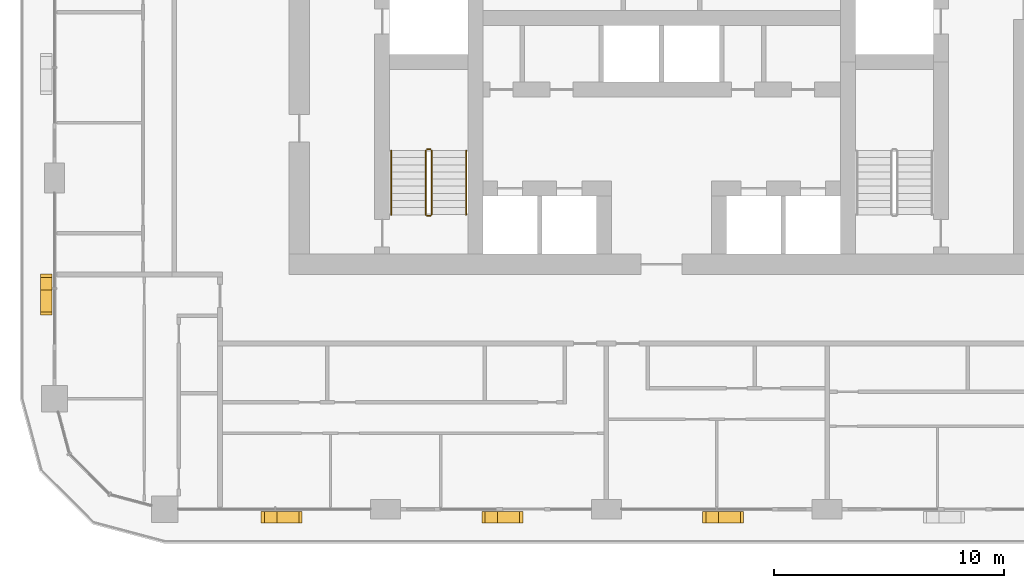
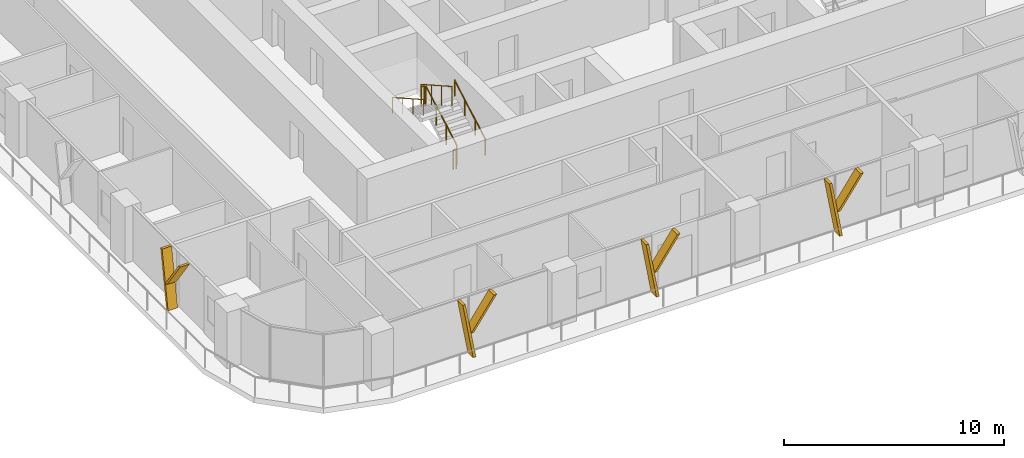
# One storey, part 16 of 21: 8 shading devices, 6 railings.
"""IFC4 building model written with IfcOpenShell, lengths in metres."""

from ifc_helpers import new_model, si_unit, direction, frame, origin, origin_2d, place, context, subcontext, project, spatial, polyline, circle, outline, extrude, material, type_object, element, save


model = new_model("IFC4")

# Units and contexts
model_context = context("Model", 3, precision=1e-05, world=origin(), true_north=direction((0.0, 1.0)))
body_context = subcontext(model_context, "Body", "Model", "MODEL_VIEW")
ifc_project = project(units=[si_unit("LENGTHUNIT", "METRE"), si_unit("AREAUNIT", "SQUARE_METRE"), si_unit("VOLUMEUNIT", "CUBIC_METRE"), si_unit("PLANEANGLEUNIT", "RADIAN"), si_unit("MASSUNIT", "GRAM", prefix="KILO")], contexts=[model_context])

# Site, building, storey
site_placement = place(None, origin())
site = spatial("IfcSite", under=ifc_project, at=site_placement, CompositionType="ELEMENT")
building_placement = place(site_placement, origin())
building = spatial("IfcBuilding", under=site, at=building_placement, Name="Madar Terraces", CompositionType="ELEMENT")
storey_placement = place(building_placement, frame((0.0, 0.0, 110.199951171875)))
storey = spatial("IfcBuildingStorey", under=building, at=storey_placement, Name="L28", CompositionType="ELEMENT", Elevation=110.199951171875)

# Shading devices
ifc_material_1 = material(Name="Aluminium, black anodised", Category="aluminium")
shading_device_type = type_object("IfcShadingDeviceType", Name="Facade fin blade 140 x 500", PredefinedType="USERDEFINED", material=ifc_material_1)
shading_device_1_placement = place(storey_placement, frame((14.330078125, 4.449951171875, 0.0), z_axis=(0.0, 0.0, 1.0), x_axis=(1.0, 0.0, 0.0)))
element("IfcShadingDevice", 1, at=shading_device_1_placement, inside=storey, type_object=shading_device_type, Name="FIN L28 S1", ObjectType="FIN", PredefinedType="USERDEFINED", context=body_context, shape_type="SweptSolid", body=[
    extrude(outline(polyline([(0.0, 0.0), (0.139892578125, 0.0), (-0.403076171875, 3.080078125), (-0.54296875, 3.080078125), (0.0, 0.0)])), frame((0.0, 0.25, 0.0), z_axis=(0.0, -1.0, 0.0), x_axis=(1.0, 0.0, 0.0)), (0.0, 0.0, 1.0), 0.5),
])
shading_device_2_placement = place(storey_placement, frame((14.2255859375, 4.449951171875, 1.385986328125), z_axis=(0.0, 0.0, 1.0), x_axis=(1.0, 0.0, 0.0)))
element("IfcShadingDevice", 2, at=shading_device_2_placement, inside=storey, type_object=shading_device_type, Name="FIN L28 S1 branch", ObjectType="FIN", PredefinedType="USERDEFINED", context=body_context, shape_type="SweptSolid", body=[
    extrude(outline(polyline([(0.0, 0.0), (0.14013671875, 0.0), (1.34130859375, 1.694091796875), (1.201416015625, 1.694091796875), (0.0, 0.0)])), frame((0.0, 0.25, 0.0), z_axis=(0.0, -1.0, 0.0), x_axis=(1.0, 0.0, 0.0)), (0.0, 0.0, 1.0), 0.5),
])
shading_device_3_placement = place(storey_placement, frame((23.929931640625, 4.449951171875, 0.0), z_axis=(0.0, 0.0, 1.0), x_axis=(1.0, 0.0, 0.0)))
element("IfcShadingDevice", 3, at=shading_device_3_placement, inside=storey, type_object=shading_device_type, Name="FIN L28 S2", ObjectType="FIN", PredefinedType="USERDEFINED", context=body_context, shape_type="SweptSolid", body=[
    extrude(outline(polyline([(0.0, 0.0), (0.14013671875, 0.0), (-0.403076171875, 3.080078125), (-0.54296875, 3.080078125), (0.0, 0.0)])), frame((0.0, 0.25, 0.0), z_axis=(0.0, -1.0, 0.0), x_axis=(1.0, 0.0, 0.0)), (0.0, 0.0, 1.0), 0.5),
])
shading_device_4_placement = place(storey_placement, frame((23.82568359375, 4.449951171875, 1.385986328125), z_axis=(0.0, 0.0, 1.0), x_axis=(1.0, 0.0, 0.0)))
element("IfcShadingDevice", 4, at=shading_device_4_placement, inside=storey, type_object=shading_device_type, Name="FIN L28 S2 branch", ObjectType="FIN", PredefinedType="USERDEFINED", context=body_context, shape_type="SweptSolid", body=[
    extrude(outline(polyline([(0.0, 0.0), (0.139892578125, 0.0), (1.34130859375, 1.694091796875), (1.201416015625, 1.694091796875), (0.0, 0.0)])), frame((0.0, 0.25, 0.0), z_axis=(0.0, -1.0, 0.0), x_axis=(1.0, 0.0, 0.0)), (0.0, 0.0, 1.0), 0.5),
])
shading_device_5_placement = place(storey_placement, frame((33.530029296875, 4.449951171875, 0.0), z_axis=(0.0, 0.0, 1.0), x_axis=(1.0, 0.0, 0.0)))
element("IfcShadingDevice", 5, at=shading_device_5_placement, inside=storey, type_object=shading_device_type, Name="FIN L28 S3", ObjectType="FIN", PredefinedType="USERDEFINED", context=body_context, shape_type="SweptSolid", body=[
    extrude(outline(polyline([(0.0, 0.0), (0.139892578125, 0.0), (-0.403076171875, 3.080078125), (-0.54296875, 3.080078125), (0.0, 0.0)])), frame((0.0, 0.25, 0.0), z_axis=(0.0, -1.0, 0.0), x_axis=(1.0, 0.0, 0.0)), (0.0, 0.0, 1.0), 0.5),
])
shading_device_6_placement = place(storey_placement, frame((33.425537109375, 4.449951171875, 1.385986328125), z_axis=(0.0, 0.0, 1.0), x_axis=(1.0, 0.0, 0.0)))
element("IfcShadingDevice", 6, at=shading_device_6_placement, inside=storey, type_object=shading_device_type, Name="FIN L28 S3 branch", ObjectType="FIN", PredefinedType="USERDEFINED", context=body_context, shape_type="SweptSolid", body=[
    extrude(outline(polyline([(0.0, 0.0), (0.14013671875, 0.0), (1.34130859375, 1.694091796875), (1.201416015625, 1.694091796875), (0.0, 0.0)])), frame((0.0, 0.25, 0.0), z_axis=(0.0, -1.0, 0.0), x_axis=(1.0, 0.0, 0.0)), (0.0, 0.0, 1.0), 0.5),
])
shading_device_7_placement = place(storey_placement, frame((4.449951171875, 14.469970703125, 0.0), z_axis=(0.0, 0.0, 1.0), x_axis=(0.0, -1.0, 0.0)))
element("IfcShadingDevice", 7, at=shading_device_7_placement, inside=storey, type_object=shading_device_type, Name="FIN L28 W4", ObjectType="FIN", PredefinedType="USERDEFINED", context=body_context, shape_type="SweptSolid", body=[
    extrude(outline(polyline([(0.0, 0.0), (0.139892578125, 0.0), (-0.403076171875, 3.080078125), (-0.54296875, 3.080078125), (0.0, 0.0)])), frame((0.0, 0.25, 0.0), z_axis=(0.0, -1.0, 0.0), x_axis=(1.0, 0.0, 0.0)), (0.0, 0.0, 1.0), 0.5),
])
shading_device_8_placement = place(storey_placement, frame((4.449951171875, 14.574462890625, 1.385986328125), z_axis=(0.0, 0.0, 1.0), x_axis=(0.0, -1.0, 0.0)))
element("IfcShadingDevice", 8, at=shading_device_8_placement, inside=storey, type_object=shading_device_type, Name="FIN L28 W4 branch", ObjectType="FIN", PredefinedType="USERDEFINED", context=body_context, shape_type="SweptSolid", body=[
    extrude(outline(polyline([(0.0, 0.0), (0.14013671875, 0.0), (1.34130859375, 1.694091796875), (1.201416015625, 1.694091796875), (0.0, 0.0)])), frame((0.0, 0.25, 0.0), z_axis=(0.0, -1.0, 0.0), x_axis=(1.0, 0.0, 0.0)), (0.0, 0.0, 1.0), 0.5),
])

# Railings
ifc_material_2 = material(Name="Stainless steel railing", Category="steel")
railing_type_1 = type_object("IfcRailingType", Name="Stair guard 1100", PredefinedType="GUARDRAIL", material=ifc_material_2)
railing_1_placement = place(storey_placement, frame((21.199951171875, 17.60009765625, 0.175048828125)))
element("IfcRailing", 9, at=railing_1_placement, inside=storey, type_object=railing_type_1, Name="L28 ST1 stair guard 1", PredefinedType="GUARDRAIL", context=body_context, shape_type="SweptSolid", body=[
    extrude(circle(Radius=0.02392578125, at=origin_2d()), frame((0.0, 0.0, 1.076171875), z_axis=(0.0, 0.870815363784, 0.491610213684), x_axis=(-1.0, 0.0, 0.0)), (0.0, 0.0, 1.0), 3.20361328125),
    extrude(circle(Radius=0.02099609375, at=origin_2d()), origin(), (0.0, 0.0, 1.0), 1.052001953125),
    extrude(circle(Radius=0.02099609375, at=origin_2d()), frame((0.0, 0.929931640625, 0.52490234375)), (0.0, 0.0, 1.0), 1.052001953125),
    extrude(circle(Radius=0.02099609375, at=origin_2d()), frame((0.0, 1.85986328125, 1.050048828125)), (0.0, 0.0, 1.0), 1.052001953125),
    extrude(circle(Radius=0.02099609375, at=origin_2d()), frame((0.0, 2.789794921875, 1.574951171875)), (0.0, 0.0, 1.0), 1.052001953125),
])
railing_2_placement = place(storey_placement, frame((21.14990234375, 20.43994140625, 1.75)))
element("IfcRailing", 10, at=railing_2_placement, inside=storey, type_object=railing_type_1, Name="L28 ST1 stair guard 2", PredefinedType="GUARDRAIL", context=body_context, shape_type="SweptSolid", body=[
    extrude(circle(Radius=0.02392578125, at=origin_2d()), frame((0.0, 0.0, 1.076171875), z_axis=(-1.0, 0.0, 0.0), x_axis=(0.0, -1.0, 0.0)), (0.0, 0.0, 1.0), 0.14990234375),
    extrude(circle(Radius=0.02099609375, at=origin_2d()), origin(), (0.0, 0.0, 1.0), 1.052001953125),
    extrude(circle(Radius=0.02099609375, at=origin_2d()), frame((-0.14990234375, 0.0, 0.0)), (0.0, 0.0, 1.0), 1.052001953125),
])
railing_3_placement = place(storey_placement, frame((20.949951171875, 20.389892578125, 1.925048828125)))
element("IfcRailing", 11, at=railing_3_placement, inside=storey, type_object=railing_type_1, Name="L28 ST1 stair guard 3", PredefinedType="GUARDRAIL", context=body_context, shape_type="SweptSolid", body=[
    extrude(circle(Radius=0.02392578125, at=origin_2d()), frame((0.0, 0.0, 1.076171875), z_axis=(0.0, -0.870815363784, 0.491610213684), x_axis=(1.0, 0.0, 0.0)), (0.0, 0.0, 1.0), 3.20361328125),
    extrude(circle(Radius=0.02099609375, at=origin_2d()), origin(), (0.0, 0.0, 1.0), 1.052001953125),
    extrude(circle(Radius=0.02099609375, at=origin_2d()), frame((0.0, -0.929931640625, 0.52490234375)), (0.0, 0.0, 1.0), 1.052001953125),
    extrude(circle(Radius=0.02099609375, at=origin_2d()), frame((0.0, -1.85986328125, 1.050048828125)), (0.0, 0.0, 1.0), 1.052001953125),
    extrude(circle(Radius=0.02099609375, at=origin_2d()), frame((0.0, -2.789794921875, 1.574951171875)), (0.0, 0.0, 1.0), 1.052001953125),
])
railing_4_placement = place(storey_placement, frame((21.14990234375, 17.550048828125, 0.0)))
element("IfcRailing", 12, at=railing_4_placement, inside=storey, type_object=railing_type_1, Name="L28 ST1 stair guard 4", PredefinedType="GUARDRAIL", context=body_context, shape_type="SweptSolid", body=[
    extrude(circle(Radius=0.02392578125, at=origin_2d()), frame((0.0, 0.0, 1.076171875), z_axis=(-1.0, 0.0, 0.0), x_axis=(0.0, -1.0, 0.0)), (0.0, 0.0, 1.0), 0.14990234375),
    extrude(circle(Radius=0.02099609375, at=origin_2d()), origin(), (0.0, 0.0, 1.0), 1.052001953125),
    extrude(circle(Radius=0.02099609375, at=origin_2d()), frame((-0.14990234375, 0.0, 0.0)), (0.0, 0.0, 1.0), 1.052001953125),
])
ifc_material_3 = material(Name="Stainless steel railing", Category="steel")
railing_type_2 = type_object("IfcRailingType", Name="Stair handrail 900", PredefinedType="HANDRAIL", material=ifc_material_3)
railing_5_placement = place(storey_placement, frame((22.699951171875, 17.60009765625, 0.175048828125)))
element("IfcRailing", 13, at=railing_5_placement, inside=storey, type_object=railing_type_2, Name="L28 ST1 stair handrail 1", PredefinedType="HANDRAIL", context=body_context, shape_type="SweptSolid", body=[
    extrude(circle(Radius=0.02392578125, at=origin_2d()), frame((0.0, 0.0, 0.8759765625), z_axis=(0.0, 0.870815363784, 0.491610213684), x_axis=(-1.0, 0.0, 0.0)), (0.0, 0.0, 1.0), 3.20361328125),
    extrude(circle(Radius=0.02099609375, at=origin_2d()), origin(), (0.0, 0.0, 1.0), 0.851806640625),
    extrude(circle(Radius=0.02099609375, at=origin_2d()), frame((0.0, 0.929931640625, 0.52490234375)), (0.0, 0.0, 1.0), 0.851806640625),
    extrude(circle(Radius=0.02099609375, at=origin_2d()), frame((0.0, 1.85986328125, 1.050048828125)), (0.0, 0.0, 1.0), 0.851806640625),
    extrude(circle(Radius=0.02099609375, at=origin_2d()), frame((0.0, 2.789794921875, 1.574951171875)), (0.0, 0.0, 1.0), 0.851806640625),
])
railing_6_placement = place(storey_placement, frame((19.449951171875, 20.389892578125, 1.925048828125)))
element("IfcRailing", 14, at=railing_6_placement, inside=storey, type_object=railing_type_2, Name="L28 ST1 stair handrail 2", PredefinedType="HANDRAIL", context=body_context, shape_type="SweptSolid", body=[
    extrude(circle(Radius=0.02392578125, at=origin_2d()), frame((0.0, 0.0, 0.8759765625), z_axis=(0.0, -0.870815363784, 0.491610213684), x_axis=(1.0, 0.0, 0.0)), (0.0, 0.0, 1.0), 3.20361328125),
    extrude(circle(Radius=0.02099609375, at=origin_2d()), origin(), (0.0, 0.0, 1.0), 0.851806640625),
    extrude(circle(Radius=0.02099609375, at=origin_2d()), frame((0.0, -0.929931640625, 0.52490234375)), (0.0, 0.0, 1.0), 0.851806640625),
    extrude(circle(Radius=0.02099609375, at=origin_2d()), frame((0.0, -1.85986328125, 1.050048828125)), (0.0, 0.0, 1.0), 0.851806640625),
    extrude(circle(Radius=0.02099609375, at=origin_2d()), frame((0.0, -2.789794921875, 1.574951171875)), (0.0, 0.0, 1.0), 0.851806640625),
])

save(model, "model.ifc")
